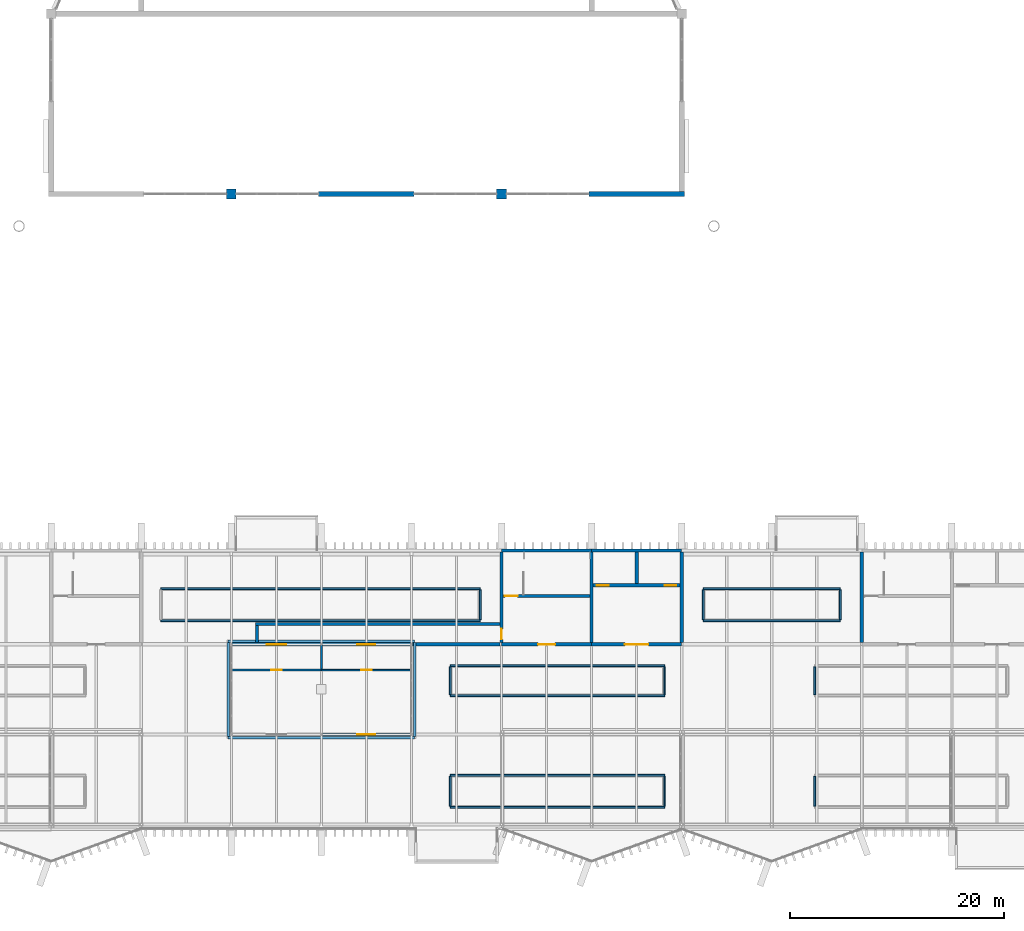
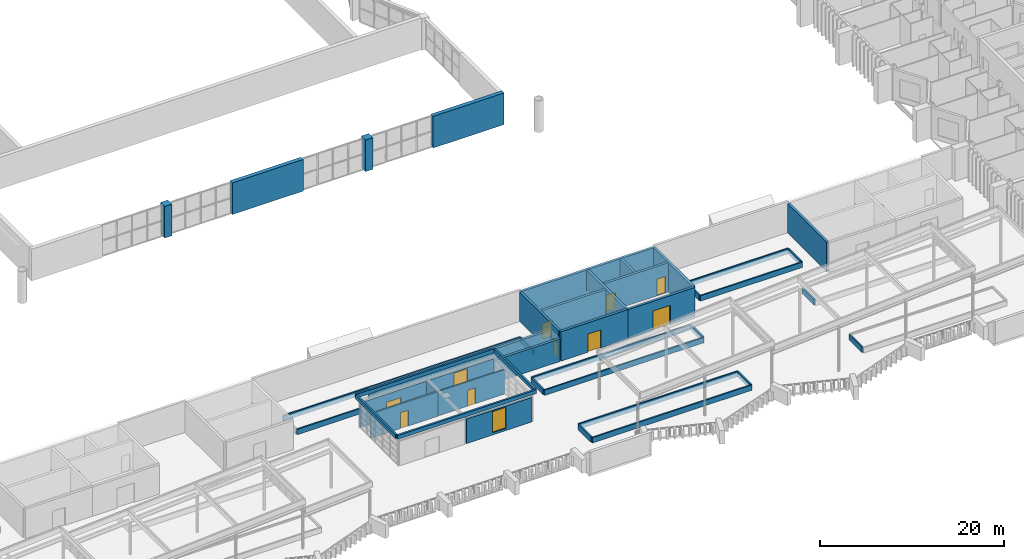
# One storey, part 35 of 51: 45 walls, 9 doors, 2 windows, 11 openings.
"""IFC4 building model written with IfcOpenShell, lengths in metres."""

from ifc_helpers import new_model, si_unit, direction, frame, frame_2d, origin, place, context, subcontext, project, spatial, rectangle, extrude, material, layer, layer_set, type_object, element, fill, save


model = new_model("IFC4")

# Units and contexts
model_context = context("Model", 3, precision=1e-05, world=origin(), true_north=direction((0.0, 1.0)))
body_context = subcontext(model_context, "Body", "Model", "MODEL_VIEW")
ifc_project = project(units=[si_unit("LENGTHUNIT", "METRE"), si_unit("AREAUNIT", "SQUARE_METRE"), si_unit("VOLUMEUNIT", "CUBIC_METRE"), si_unit("PLANEANGLEUNIT", "RADIAN"), si_unit("MASSUNIT", "GRAM", prefix="KILO")], contexts=[model_context])

# Site, building, storey
site_placement = place(None, origin())
site = spatial("IfcSite", under=ifc_project, at=site_placement, CompositionType="ELEMENT")
building_placement = place(site_placement, origin())
building = spatial("IfcBuilding", under=site, at=building_placement, Name="Cresset Court Congress Hotel", CompositionType="ELEMENT")
storey_placement = place(building_placement, frame((0.0, 0.0, 18.60009765625)))
storey = spatial("IfcBuildingStorey", under=building, at=storey_placement, Name="L04", CompositionType="ELEMENT", Elevation=18.60009765625)

# Walls
ifc_material_1 = material(Name="Concrete C50", Category="concrete")
ifc_layer_1 = layer(ifc_material_1, 0.300048828125)
ifc_layer_set_1 = layer_set([ifc_layer_1], Name="Core wall 300 Concrete C50")
wall_type_1 = type_object("IfcWallType", Name="Core wall 300 Concrete C50", PredefinedType="SHEAR", material=ifc_layer_set_1)
for number, where, z_axis, x_axis, name in (
    (1, (109.199951171875, 16.949951171875, 0.0), (0.0, 0.0, 1.0), (0.0, 1.0, 0.0), "Core wall LC-B2"),
    (2, (117.60009765625, 16.949951171875, 0.0), (0.0, 0.0, 1.0), (0.0, 1.0, 0.0), "Core wall LC-B2"),
):
    element("IfcWall", number, at=place(storey_placement, frame(where, z_axis=z_axis, x_axis=x_axis)), inside=storey, type_object=wall_type_1, Name=name, PredefinedType="SHEAR", context=body_context, shape_type="SweptSolid", body=[
        extrude(rectangle(XDim=8.449951171875, YDim=0.300048828125, at=frame_2d((4.22509765625, 0.0))), origin(), (0.0, 0.0, 1.0), 3.889892578125),
    ])

# Wall, opening, door
wall_1_placement = place(storey_placement, frame((109.199951171875, 16.800048828125, 0.0), z_axis=(0.0, 0.0, 1.0), x_axis=(1.0, 0.0, 0.0)))
wall_1 = element("IfcWall", 3, at=wall_1_placement, inside=storey, type_object=wall_type_1, Name="Core wall LC-B2", PredefinedType="SHEAR", context=body_context, shape_type="SweptSolid", body=[
    extrude(rectangle(XDim=8.400146484375, YDim=0.300048828125, at=frame_2d((4.2001953125, 0.0))), origin(), (0.0, 0.0, 1.0), 3.889892578125),
])
opening_1_placement = place(wall_1_placement, frame((3.10009765625, 0.0, 0.0)))
opening_1 = element("IfcOpeningElement", 4, at=opening_1_placement, cuts=wall_1, Name="Opening DB-04-05", PredefinedType="OPENING", context=body_context, shape_type="SweptSolid", body=[
    extrude(rectangle(XDim=2.199951171875, YDim=2.60009765625, at=frame_2d((1.10009765625, 1.300048828125))), frame((0.0, 0.159912109375, 0.0), z_axis=(0.0, -1.0, 0.0), x_axis=(1.0, 0.0, 0.0)), (0.0, 0.0, 1.0), 0.320068359375),
])
ifc_material_2 = material(Name="Aluminium frame with toughened glass", Category="aluminium")
door_type_1 = type_object("IfcDoorType", Name="Lift head glazed door 2200x2600", OperationType="DOUBLE_DOOR_SINGLE_SWING", PredefinedType="DOOR", material=ifc_material_2)
door_1_placement = place(opening_1_placement, origin())
door_1 = element("IfcDoor", 5, at=door_1_placement, inside=storey, type_object=door_type_1, Name="Roof door LC-B2", OperationType="DOUBLE_DOOR_SINGLE_SWING", OverallHeight=2.60009765625, OverallWidth=2.199951171875, PredefinedType="DOOR", context=body_context, shape_type="SweptSolid", body=[
    extrude(rectangle(XDim=2.199951171875, YDim=2.60009765625, at=frame_2d((1.10009765625, 1.300048828125))), frame((0.0, 0.02490234375, 0.0), z_axis=(0.0, -1.0, 0.0), x_axis=(1.0, 0.0, 0.0)), (0.0, 0.0, 1.0), 0.050048828125),
])
fill(opening_1, door_1)

# Wall, openings, doors
wall_2_placement = place(storey_placement, frame((109.35009765625, 22.300048828125, 0.0), z_axis=(0.0, 0.0, 1.0), x_axis=(1.0, 0.0, 0.0)))
wall_2 = element("IfcWall", 6, at=wall_2_placement, inside=storey, type_object=wall_type_1, Name="Core wall LC-B2", PredefinedType="SHEAR", context=body_context, shape_type="SweptSolid", body=[
    extrude(rectangle(XDim=8.099853515625, YDim=0.300048828125, at=frame_2d((4.0498046875, 0.0))), origin(), (0.0, 0.0, 1.0), 3.889892578125),
])
opening_2_placement = place(wall_2_placement, frame((0.35009765625, 0.0, 0.0)))
opening_2 = element("IfcOpeningElement", 7, at=opening_2_placement, cuts=wall_2, Name="Opening LD-B2-11", PredefinedType="OPENING", context=body_context, shape_type="SweptSolid", body=[
    extrude(rectangle(XDim=1.10009765625, YDim=2.199951171875, at=frame_2d((0.550048828125, 1.10009765625))), frame((0.0, 0.159912109375, 0.0), z_axis=(0.0, -1.0, 0.0), x_axis=(1.0, 0.0, 0.0)), (0.0, 0.0, 1.0), 0.320068359375),
])
opening_3_placement = place(wall_2_placement, frame((6.64990234375, 0.0, 0.0)))
opening_3 = element("IfcOpeningElement", 8, at=opening_3_placement, cuts=wall_2, Name="Opening LD-B2-12", PredefinedType="OPENING", context=body_context, shape_type="SweptSolid", body=[
    extrude(rectangle(XDim=1.10009765625, YDim=2.199951171875, at=frame_2d((0.550048828125, 1.10009765625))), frame((0.0, 0.159912109375, 0.0), z_axis=(0.0, -1.0, 0.0), x_axis=(1.0, 0.0, 0.0)), (0.0, 0.0, 1.0), 0.320068359375),
])
ifc_material_3 = material(Name="Stainless steel", Category="steel")
door_type_2 = type_object("IfcDoorType", Name="Lift landing door sliding 1100x2200", OperationType="SLIDING_TO_LEFT", PredefinedType="DOOR", material=ifc_material_3)
door_2_placement = place(opening_2_placement, origin())
door_2 = element("IfcDoor", 9, at=door_2_placement, inside=storey, type_object=door_type_2, Name="Lift landing door LD-B2-11", OperationType="SLIDING_TO_LEFT", OverallHeight=2.199951171875, OverallWidth=1.10009765625, PredefinedType="DOOR", context=body_context, shape_type="SweptSolid", body=[
    extrude(rectangle(XDim=1.10009765625, YDim=2.199951171875, at=frame_2d((0.550048828125, 1.10009765625))), frame((0.0, 0.02490234375, 0.0), z_axis=(0.0, -1.0, 0.0), x_axis=(1.0, 0.0, 0.0)), (0.0, 0.0, 1.0), 0.050048828125),
])
fill(opening_2, door_2)
door_3_placement = place(opening_3_placement, origin())
door_3 = element("IfcDoor", 10, at=door_3_placement, inside=storey, type_object=door_type_2, Name="Lift landing door LD-B2-12", OperationType="SLIDING_TO_LEFT", OverallHeight=2.199951171875, OverallWidth=1.10009765625, PredefinedType="DOOR", context=body_context, shape_type="SweptSolid", body=[
    extrude(rectangle(XDim=1.10009765625, YDim=2.199951171875, at=frame_2d((0.550048828125, 1.10009765625))), frame((0.0, 0.02490234375, 0.0), z_axis=(0.0, -1.0, 0.0), x_axis=(1.0, 0.0, 0.0)), (0.0, 0.0, 1.0), 0.050048828125),
])
fill(opening_3, door_3)

# Wall
wall_3_placement = place(storey_placement, frame((113.39990234375, 22.449951171875, 0.0), z_axis=(0.0, 0.0, 1.0), x_axis=(0.0, 1.0, 0.0)))
element("IfcWall", 11, at=wall_3_placement, inside=storey, type_object=wall_type_1, Name="Core wall LC-B2", PredefinedType="SHEAR", context=body_context, shape_type="SweptSolid", body=[
    extrude(rectangle(XDim=2.949951171875, YDim=0.300048828125, at=frame_2d((1.47509765625, 0.0))), origin(), (0.0, 0.0, 1.0), 3.889892578125),
])

# Wall, opening, door
wall_4_placement = place(storey_placement, frame((100.800048828125, 16.949951171875, 0.0), z_axis=(0.0, 0.0, 1.0), x_axis=(0.0, 1.0, 0.0)))
wall_4 = element("IfcWall", 12, at=wall_4_placement, inside=storey, type_object=wall_type_1, Name="Core wall ST-B4", PredefinedType="SHEAR", context=body_context, shape_type="SweptSolid", body=[
    extrude(rectangle(XDim=8.449951171875, YDim=0.300048828125, at=frame_2d((4.22509765625, 0.0))), origin(), (0.0, 0.0, 1.0), 3.889892578125),
])
opening_4_placement = place(wall_4_placement, frame((0.300048828125, 0.0, 0.0)))
opening_4 = element("IfcOpeningElement", 13, at=opening_4_placement, cuts=wall_4, Name="Opening DB-04-01", PredefinedType="OPENING", context=body_context, shape_type="SweptSolid", body=[
    extrude(rectangle(XDim=1.0, YDim=2.10009765625, at=frame_2d((0.5, 1.050048828125))), frame((0.0, 0.159912109375, 0.0), z_axis=(0.0, -1.0, 0.0), x_axis=(1.0, 0.0, 0.0)), (0.0, 0.0, 1.0), 0.320068359375),
])
ifc_material_4 = material(Name="Timber and steel frame", Category="steel")
door_type_3 = type_object("IfcDoorType", Name="Fire door FD30 single 1000x2100", OperationType="SINGLE_SWING_LEFT", PredefinedType="DOOR", material=ifc_material_4)
door_4_placement = place(opening_4_placement, origin())
door_4 = element("IfcDoor", 14, at=door_4_placement, inside=storey, type_object=door_type_3, Name="Garden corridor door", OperationType="SINGLE_SWING_LEFT", OverallHeight=2.10009765625, OverallWidth=1.0, PredefinedType="DOOR", context=body_context, shape_type="SweptSolid", body=[
    extrude(rectangle(XDim=1.0, YDim=2.10009765625, at=frame_2d((0.5, 1.050048828125))), frame((0.0, 0.02490234375, 0.0), z_axis=(0.0, -1.0, 0.0), x_axis=(1.0, 0.0, 0.0)), (0.0, 0.0, 1.0), 0.050048828125),
])
fill(opening_4, door_4)

wall_5_placement = place(storey_placement, frame((100.800048828125, 16.800048828125, 0.0), z_axis=(0.0, 0.0, 1.0), x_axis=(1.0, 0.0, 0.0)))
wall_5 = element("IfcWall", 15, at=wall_5_placement, inside=storey, type_object=wall_type_1, Name="Core wall ST-B4", PredefinedType="SHEAR", context=body_context, shape_type="SweptSolid", body=[
    extrude(rectangle(XDim=8.39990234375, YDim=0.300048828125, at=frame_2d((4.199951171875, 0.0))), origin(), (0.0, 0.0, 1.0), 3.889892578125),
])
opening_5_placement = place(wall_5_placement, frame((3.39990234375, 0.0, 0.0)))
opening_5 = element("IfcOpeningElement", 16, at=opening_5_placement, cuts=wall_5, Name="Opening DB-04-18", PredefinedType="OPENING", context=body_context, shape_type="SweptSolid", body=[
    extrude(rectangle(XDim=1.60009765625, YDim=2.39990234375, at=frame_2d((0.800048828125, 1.199951171875))), frame((0.0, 0.159912109375, 0.0), z_axis=(0.0, -1.0, 0.0), x_axis=(1.0, 0.0, 0.0)), (0.0, 0.0, 1.0), 0.320068359375),
])
ifc_material_5 = material(Name="Timber and steel frame", Category="steel")
door_type_4 = type_object("IfcDoorType", Name="Roof exit double door FD60 1600x2400", OperationType="DOUBLE_DOOR_SINGLE_SWING", PredefinedType="DOOR", material=ifc_material_5)
door_5_placement = place(opening_5_placement, origin())
door_5 = element("IfcDoor", 17, at=door_5_placement, inside=storey, type_object=door_type_4, Name="Roof door ST-B4", OperationType="DOUBLE_DOOR_SINGLE_SWING", OverallHeight=2.39990234375, OverallWidth=1.60009765625, PredefinedType="DOOR", context=body_context, shape_type="SweptSolid", body=[
    extrude(rectangle(XDim=1.60009765625, YDim=2.39990234375, at=frame_2d((0.800048828125, 1.199951171875))), frame((0.0, 0.02490234375, 0.0), z_axis=(0.0, -1.0, 0.0), x_axis=(1.0, 0.0, 0.0)), (0.0, 0.0, 1.0), 0.050048828125),
])
fill(opening_5, door_5)

wall_6_placement = place(storey_placement, frame((100.949951171875, 21.300048828125, 0.0), z_axis=(0.0, 0.0, 1.0), x_axis=(1.0, 0.0, 0.0)))
wall_6 = element("IfcWall", 18, at=wall_6_placement, inside=storey, type_object=wall_type_1, Name="Core wall ST-B4", PredefinedType="SHEAR", context=body_context, shape_type="SweptSolid", body=[
    extrude(rectangle(XDim=8.10009765625, YDim=0.300048828125, at=frame_2d((4.050048828125, 0.0))), origin(), (0.0, 0.0, 1.0), 3.889892578125),
])
opening_6_placement = place(wall_6_placement, frame((0.14990234375, 0.0, 0.0)))
opening_6 = element("IfcOpeningElement", 19, at=opening_6_placement, cuts=wall_6, Name="Opening DB-04-17", PredefinedType="OPENING", context=body_context, shape_type="SweptSolid", body=[
    extrude(rectangle(XDim=1.199951171875, YDim=2.10009765625, at=frame_2d((0.60009765625, 1.050048828125))), frame((0.0, 0.159912109375, 0.0), z_axis=(0.0, -1.0, 0.0), x_axis=(1.0, 0.0, 0.0)), (0.0, 0.0, 1.0), 0.320068359375),
])
ifc_material_6 = material(Name="Timber and steel frame", Category="steel")
door_type_5 = type_object("IfcDoorType", Name="Stair fire door FD60 1200x2100", OperationType="SINGLE_SWING_LEFT", PredefinedType="DOOR", material=ifc_material_6)
door_6_placement = place(opening_6_placement, origin())
door_6 = element("IfcDoor", 20, at=door_6_placement, inside=storey, type_object=door_type_5, Name="Stair door ST-B4", OperationType="SINGLE_SWING_LEFT", OverallHeight=2.10009765625, OverallWidth=1.199951171875, PredefinedType="DOOR", context=body_context, shape_type="SweptSolid", body=[
    extrude(rectangle(XDim=1.199951171875, YDim=2.10009765625, at=frame_2d((0.60009765625, 1.050048828125))), frame((0.0, 0.02490234375, 0.0), z_axis=(0.0, -1.0, 0.0), x_axis=(1.0, 0.0, 0.0)), (0.0, 0.0, 1.0), 0.050048828125),
])
fill(opening_6, door_6)

# Walls
wall_7_placement = place(storey_placement, frame((134.39990234375, 16.949951171875, 0.0), z_axis=(0.0, 0.0, 1.0), x_axis=(0.0, 1.0, 0.0)))
element("IfcWall", 21, at=wall_7_placement, inside=storey, type_object=wall_type_1, Name="Core wall ST-B5", PredefinedType="SHEAR", context=body_context, shape_type="SweptSolid", body=[
    extrude(rectangle(XDim=8.449951171875, YDim=0.300048828125, at=frame_2d((4.22509765625, 0.0))), origin(), (0.0, 0.0, 1.0), 3.889892578125),
])
ifc_material_7 = material(Name="Concrete C50", Category="concrete")
ifc_layer_2 = layer(ifc_material_7, 0.300048828125)
ifc_layer_set_2 = layer_set([ifc_layer_2], Name="Core wall 300 Concrete C50 external")
wall_type_2 = type_object("IfcWallType", Name="Core wall 300 Concrete C50 external", PredefinedType="SHEAR", material=ifc_layer_set_2)
wall_8_placement = place(storey_placement, frame((109.199951171875, 25.550048828125, 0.0), z_axis=(0.0, 0.0, 1.0), x_axis=(1.0, 0.0, 0.0)))
element("IfcWall", 22, at=wall_8_placement, inside=storey, type_object=wall_type_2, Name="Core wall LC-B2", PredefinedType="SHEAR", context=body_context, shape_type="SweptSolid", body=[
    extrude(rectangle(XDim=8.400146484375, YDim=0.300048828125, at=frame_2d((4.2001953125, 0.0))), origin(), (0.0, 0.0, 1.0), 3.889892578125),
])
wall_9_placement = place(storey_placement, frame((100.800048828125, 25.550048828125, 0.0), z_axis=(0.0, 0.0, 1.0), x_axis=(1.0, 0.0, 0.0)))
element("IfcWall", 23, at=wall_9_placement, inside=storey, type_object=wall_type_2, Name="Core wall ST-B4", PredefinedType="SHEAR", context=body_context, shape_type="SweptSolid", body=[
    extrude(rectangle(XDim=8.39990234375, YDim=0.300048828125, at=frame_2d((4.199951171875, 0.0))), origin(), (0.0, 0.0, 1.0), 3.889892578125),
])

# Wall, opening, door
ifc_material_8 = material(Name="Concrete C40", Category="concrete")
ifc_layer_3 = layer(ifc_material_8, 0.300048828125)
ifc_layer_set_3 = layer_set([ifc_layer_3], Name="External wall 300 Concrete C40")
wall_type_3 = type_object("IfcWallType", Name="External wall 300 Concrete C40", PredefinedType="SOLIDWALL", material=ifc_layer_set_3)
wall_10_placement = place(storey_placement, frame((75.68408203125, 16.800048828125, 0.0), z_axis=(0.0, 0.0, 1.0), x_axis=(1.0, 0.0, 0.0)))
wall_10 = element("IfcWall", 24, at=wall_10_placement, inside=storey, type_object=wall_type_3, Name="Pavilion wall", PredefinedType="SOLIDWALL", context=body_context, shape_type="SweptSolid", body=[
    extrude(rectangle(XDim=8.23193359375, YDim=0.300048828125, at=frame_2d((4.115966796875, 0.0))), origin(), (0.0, 0.0, 1.0), 3.25390625),
])
opening_7_placement = place(wall_10_placement, frame((3.216064453125, 0.0, 0.0)))
opening_7 = element("IfcOpeningElement", 25, at=opening_7_placement, cuts=wall_10, Name="Opening DB-04-24", PredefinedType="OPENING", context=body_context, shape_type="SweptSolid", body=[
    extrude(rectangle(XDim=1.800048828125, YDim=2.199951171875, at=frame_2d((0.89990234375, 1.10009765625))), frame((0.0, 0.159912109375, 0.0), z_axis=(0.0, -1.0, 0.0), x_axis=(1.0, 0.0, 0.0)), (0.0, 0.0, 1.0), 0.320068359375),
])
ifc_material_9 = material(Name="Aluminium frame with toughened glass", Category="aluminium")
door_type_6 = type_object("IfcDoorType", Name="Terrace door glazed double 1800x2200", OperationType="DOUBLE_DOOR_SINGLE_SWING", PredefinedType="DOOR", material=ifc_material_9)
door_7_placement = place(opening_7_placement, origin())
door_7 = element("IfcDoor", 26, at=door_7_placement, inside=storey, type_object=door_type_6, Name="Pavilion service door", OperationType="DOUBLE_DOOR_SINGLE_SWING", OverallHeight=2.199951171875, OverallWidth=1.800048828125, PredefinedType="DOOR", context=body_context, shape_type="SweptSolid", body=[
    extrude(rectangle(XDim=1.800048828125, YDim=2.199951171875, at=frame_2d((0.89990234375, 1.10009765625))), frame((0.0, 0.02490234375, 0.0), z_axis=(0.0, -1.0, 0.0), x_axis=(1.0, 0.0, 0.0)), (0.0, 0.0, 1.0), 0.050048828125),
])
fill(opening_7, door_7)

# Wall, opening, window
wall_11_placement = place(storey_placement, frame((84.083984375, 8.39990234375, 0.0), z_axis=(0.0, 0.0, 1.0), x_axis=(1.0, 0.0, 0.0)))
wall_11 = element("IfcWall", 27, at=wall_11_placement, inside=storey, type_object=wall_type_3, Name="Pavilion wall", PredefinedType="SOLIDWALL", context=body_context, shape_type="SweptSolid", body=[
    extrude(rectangle(XDim=8.23193359375, YDim=0.300048828125, at=frame_2d((4.115966796875, 0.0))), origin(), (0.0, 0.0, 1.0), 3.25390625),
])
opening_8_placement = place(wall_11_placement, frame((3.27587890625, 0.0, 0.300048828125)))
opening_8 = element("IfcOpeningElement", 28, at=opening_8_placement, cuts=wall_11, Name="Opening NB-04-01", PredefinedType="OPENING", context=body_context, shape_type="SweptSolid", body=[
    extrude(rectangle(XDim=1.679931640625, YDim=2.800048828125, at=frame_2d((0.83984375, 1.39990234375))), frame((0.0, 0.159912109375, 0.0), z_axis=(0.0, -1.0, 0.0), x_axis=(1.0, 0.0, 0.0)), (0.0, 0.0, 1.0), 0.320068359375),
])
ifc_material_10 = material(Name="Aluminium frame with double glazing", Category="aluminium")
window_type = type_object("IfcWindowType", Name="Pavilion window 1680x2800", PartitioningType="DOUBLE_PANEL_VERTICAL", PredefinedType="WINDOW", material=ifc_material_10)
window_1_placement = place(opening_8_placement, origin())
window_1 = element("IfcWindow", 29, at=window_1_placement, inside=storey, type_object=window_type, Name="Pavilion window", OverallHeight=2.800048828125, OverallWidth=1.679931640625, PartitioningType="DOUBLE_PANEL_VERTICAL", PredefinedType="WINDOW", context=body_context, shape_type="SweptSolid", body=[
    extrude(rectangle(XDim=1.679931640625, YDim=2.800048828125, at=frame_2d((0.83984375, 1.39990234375))), frame((0.0, 0.030029296875, 0.0), z_axis=(0.0, -1.0, 0.0), x_axis=(1.0, 0.0, 0.0)), (0.0, 0.0, 1.0), 0.06005859375),
])
fill(opening_8, window_1)

wall_12_placement = place(storey_placement, frame((84.083984375, 16.800048828125, 0.0), z_axis=(0.0, 0.0, 1.0), x_axis=(1.0, 0.0, 0.0)))
wall_12 = element("IfcWall", 30, at=wall_12_placement, inside=storey, type_object=wall_type_3, Name="Pavilion wall", PredefinedType="SOLIDWALL", context=body_context, shape_type="SweptSolid", body=[
    extrude(rectangle(XDim=8.23193359375, YDim=0.300048828125, at=frame_2d((4.115966796875, 0.0))), origin(), (0.0, 0.0, 1.0), 3.25390625),
])
opening_9_placement = place(wall_12_placement, frame((3.27587890625, 0.0, 0.300048828125)))
opening_9 = element("IfcOpeningElement", 31, at=opening_9_placement, cuts=wall_12, Name="Opening NB-04-02", PredefinedType="OPENING", context=body_context, shape_type="SweptSolid", body=[
    extrude(rectangle(XDim=1.679931640625, YDim=2.800048828125, at=frame_2d((0.83984375, 1.39990234375))), frame((0.0, 0.159912109375, 0.0), z_axis=(0.0, -1.0, 0.0), x_axis=(1.0, 0.0, 0.0)), (0.0, 0.0, 1.0), 0.320068359375),
])
window_2_placement = place(opening_9_placement, origin())
window_2 = element("IfcWindow", 32, at=window_2_placement, inside=storey, type_object=window_type, Name="Pavilion window", OverallHeight=2.800048828125, OverallWidth=1.679931640625, PartitioningType="DOUBLE_PANEL_VERTICAL", PredefinedType="WINDOW", context=body_context, shape_type="SweptSolid", body=[
    extrude(rectangle(XDim=1.679931640625, YDim=2.800048828125, at=frame_2d((0.83984375, 1.39990234375))), frame((0.0, 0.030029296875, 0.0), z_axis=(0.0, -1.0, 0.0), x_axis=(1.0, 0.0, 0.0)), (0.0, 0.0, 1.0), 0.06005859375),
])
fill(opening_9, window_2)

# Walls
ifc_material_11 = material(Name="Concrete C40", Category="concrete")
ifc_layer_4 = layer(ifc_material_11, 0.300048828125)
ifc_layer_set_4 = layer_set([ifc_layer_4], Name="External wall 300 Concrete C40 load-bearing")
wall_type_4 = type_object("IfcWallType", Name="External wall 300 Concrete C40 load-bearing", PredefinedType="SOLIDWALL", material=ifc_layer_set_4)
wall_13_placement = place(storey_placement, frame((92.48388671875, 16.800048828125, 0.0), z_axis=(0.0, 0.0, 1.0), x_axis=(1.0, 0.0, 0.0)))
element("IfcWall", 33, at=wall_13_placement, inside=storey, type_object=wall_type_4, Name="Garden corridor wall", PredefinedType="SOLIDWALL", context=body_context, shape_type="SweptSolid", body=[
    extrude(rectangle(XDim=8.166015625, YDim=0.300048828125, at=frame_2d((4.0830078125, 0.0))), origin(), (0.0, 0.0, 1.0), 3.0),
])
wall_14_placement = place(storey_placement, frame((77.85009765625, 18.699951171875, 0.0), z_axis=(0.0, 0.0, 1.0), x_axis=(1.0, 0.0, 0.0)))
element("IfcWall", 34, at=wall_14_placement, inside=storey, type_object=wall_type_4, Name="Garden corridor wall", PredefinedType="SOLIDWALL", context=body_context, shape_type="SweptSolid", body=[
    extrude(rectangle(XDim=22.7998046875, YDim=0.300048828125, at=frame_2d((11.39990234375, 0.0))), origin(), (0.0, 0.0, 1.0), 3.0),
])
wall_15_placement = place(storey_placement, frame((78.0, 16.949951171875, 0.0), z_axis=(0.0, 0.0, 1.0), x_axis=(0.0, 1.0, 0.0)))
element("IfcWall", 35, at=wall_15_placement, inside=storey, type_object=wall_type_4, Name="Garden corridor end wall", PredefinedType="SOLIDWALL", context=body_context, shape_type="SweptSolid", body=[
    extrude(rectangle(XDim=1.60009765625, YDim=0.300048828125, at=frame_2d((0.800048828125, 0.0))), origin(), (0.0, 0.0, 1.0), 3.0),
])
ifc_material_12 = material(Name="Limestone-faced precast concrete C50", Category="masonry")
ifc_layer_5 = layer(ifc_material_12, 0.5)
ifc_layer_set_5 = layer_set([ifc_layer_5], Name="Hall perimeter wall 500")
wall_type_5 = type_object("IfcWallType", Name="Hall perimeter wall 500", PredefinedType="SOLIDWALL", material=ifc_layer_set_5)
wall_16_placement = place(storey_placement, frame((92.64990234375, 58.800048828125, 0.0), z_axis=(0.0, 0.0, 1.0), x_axis=(-1.0, 0.0, 0.0)))
element("IfcWall", 36, at=wall_16_placement, inside=storey, type_object=wall_type_5, Name="Wall CW-SL04-2", PredefinedType="SOLIDWALL", context=body_context, shape_type="SweptSolid", body=[
    extrude(rectangle(XDim=8.89990234375, YDim=0.5, at=frame_2d((4.449951171875, 0.0))), origin(), (0.0, 0.0, 1.0), 4.199951171875),
])
wall_17_placement = place(storey_placement, frame((117.85009765625, 58.800048828125, 0.0), z_axis=(0.0, 0.0, 1.0), x_axis=(-1.0, 0.0, 0.0)))
element("IfcWall", 37, at=wall_17_placement, inside=storey, type_object=wall_type_5, Name="Wall CW-SL04-3", PredefinedType="SOLIDWALL", context=body_context, shape_type="SweptSolid", body=[
    extrude(rectangle(XDim=8.900146484375, YDim=0.5, at=frame_2d((4.4501953125, 0.0))), origin(), (0.0, 0.0, 1.0), 4.199951171875),
])
ifc_material_13 = material(Name="Concrete C50", Category="concrete")
ifc_layer_6 = layer(ifc_material_13, 0.89990234375)
ifc_layer_set_6 = layer_set([ifc_layer_6], Name="Hall pilaster 900x900")
wall_type_6 = type_object("IfcWallType", Name="Hall pilaster 900x900", PredefinedType="SOLIDWALL", material=ifc_layer_set_6)
wall_18_placement = place(storey_placement, frame((75.14990234375, 58.800048828125, 0.0), z_axis=(0.0, 0.0, 1.0), x_axis=(1.0, 0.0, 0.0)))
element("IfcWall", 38, at=wall_18_placement, inside=storey, type_object=wall_type_6, Name="Pilaster P-S1", PredefinedType="SOLIDWALL", context=body_context, shape_type="SweptSolid", body=[
    extrude(rectangle(XDim=0.900146484375, YDim=0.89990234375, at=frame_2d((0.4501953125, 0.0))), origin(), (0.0, 0.0, 1.0), 4.199951171875),
])
wall_19_placement = place(storey_placement, frame((100.35009765625, 58.800048828125, 0.0), z_axis=(0.0, 0.0, 1.0), x_axis=(1.0, 0.0, 0.0)))
element("IfcWall", 39, at=wall_19_placement, inside=storey, type_object=wall_type_6, Name="Pilaster P-S2", PredefinedType="SOLIDWALL", context=body_context, shape_type="SweptSolid", body=[
    extrude(rectangle(XDim=0.89990234375, YDim=0.89990234375, at=frame_2d((0.449951171875, 0.0))), origin(), (0.0, 0.0, 1.0), 4.199951171875),
])

# Wall, opening, door
ifc_material_14 = material(Name="Blockwork with tiled face", Category="masonry")
ifc_layer_7 = layer(ifc_material_14, 0.199951171875)
ifc_layer_set_7 = layer_set([ifc_layer_7], Name="Kitchen wall 200")
wall_type_7 = type_object("IfcWallType", Name="Kitchen wall 200", PredefinedType="PARTITIONING", material=ifc_layer_set_7)
wall_20_placement = place(storey_placement, frame((75.60009765625, 14.39990234375, 0.0), z_axis=(0.0, 0.0, 1.0), x_axis=(1.0, 0.0, 0.0)))
wall_20 = element("IfcWall", 40, at=wall_20_placement, inside=storey, type_object=wall_type_7, Name="Kitchen wall", PredefinedType="PARTITIONING", context=body_context, shape_type="SweptSolid", body=[
    extrude(rectangle(XDim=8.39990234375, YDim=0.199951171875, at=frame_2d((4.199951171875, 0.0))), origin(), (0.0, 0.0, 1.0), 3.25390625),
])
opening_10_placement = place(wall_20_placement, frame((3.699951171875, 0.0, 0.0)))
opening_10 = element("IfcOpeningElement", 41, at=opening_10_placement, cuts=wall_20, Name="Opening DB-04-21", PredefinedType="OPENING", context=body_context, shape_type="SweptSolid", body=[
    extrude(rectangle(XDim=1.0, YDim=2.10009765625, at=frame_2d((0.5, 1.050048828125))), frame((0.0, 0.10986328125, 0.0), z_axis=(0.0, -1.0, 0.0), x_axis=(1.0, 0.0, 0.0)), (0.0, 0.0, 1.0), 0.219970703125),
])
ifc_material_15 = material(Name="Timber and steel frame", Category="steel")
door_type_7 = type_object("IfcDoorType", Name="Single door 1000x2100", OperationType="SINGLE_SWING_LEFT", PredefinedType="DOOR", material=ifc_material_15)
door_8_placement = place(opening_10_placement, origin())
door_8 = element("IfcDoor", 42, at=door_8_placement, inside=storey, type_object=door_type_7, Name="Pantry door", OperationType="SINGLE_SWING_LEFT", OverallHeight=2.10009765625, OverallWidth=1.0, PredefinedType="DOOR", context=body_context, shape_type="SweptSolid", body=[
    extrude(rectangle(XDim=1.0, YDim=2.10009765625, at=frame_2d((0.5, 1.050048828125))), frame((0.0, 0.02490234375, 0.0), z_axis=(0.0, -1.0, 0.0), x_axis=(1.0, 0.0, 0.0)), (0.0, 0.0, 1.0), 0.050048828125),
])
fill(opening_10, door_8)

# Wall
wall_21_placement = place(storey_placement, frame((84.0, 14.5, 0.0), z_axis=(0.0, 0.0, 1.0), x_axis=(0.0, 1.0, 0.0)))
element("IfcWall", 43, at=wall_21_placement, inside=storey, type_object=wall_type_7, Name="Kitchen wall", PredefinedType="PARTITIONING", context=body_context, shape_type="SweptSolid", body=[
    extrude(rectangle(XDim=2.216064453125, YDim=0.199951171875, at=frame_2d((1.10791015625, 0.0))), origin(), (0.0, 0.0, 1.0), 3.25390625),
])

# Wall, opening, door
ifc_material_16 = material(Name="Gypsum board on steel studs", Category="steel")
ifc_layer_8 = layer(ifc_material_16, 0.14990234375)
ifc_layer_set_8 = layer_set([ifc_layer_8], Name="Partition 150")
wall_type_8 = type_object("IfcWallType", Name="Partition 150", PredefinedType="PARTITIONING", material=ifc_layer_set_8)
wall_22_placement = place(storey_placement, frame((84.0, 14.39990234375, 0.0), z_axis=(0.0, 0.0, 1.0), x_axis=(1.0, 0.0, 0.0)))
wall_22 = element("IfcWall", 44, at=wall_22_placement, inside=storey, type_object=wall_type_8, Name="Partition", PredefinedType="PARTITIONING", context=body_context, shape_type="SweptSolid", body=[
    extrude(rectangle(XDim=8.39990234375, YDim=0.14990234375, at=frame_2d((4.199951171875, 0.0))), origin(), (0.0, 0.0, 1.0), 3.25390625),
])
opening_11_placement = place(wall_22_placement, frame((3.699951171875, 0.0, 0.0)))
opening_11 = element("IfcOpeningElement", 45, at=opening_11_placement, cuts=wall_22, Name="Opening DB-04-22", PredefinedType="OPENING", context=body_context, shape_type="SweptSolid", body=[
    extrude(rectangle(XDim=1.0, YDim=2.10009765625, at=frame_2d((0.5, 1.050048828125))), frame((0.0, 0.0849609375, 0.0), z_axis=(0.0, -1.0, 0.0), x_axis=(1.0, 0.0, 0.0)), (0.0, 0.0, 1.0), 0.169921875),
])
door_9_placement = place(opening_11_placement, origin())
door_9 = element("IfcDoor", 46, at=door_9_placement, inside=storey, type_object=door_type_7, Name="Roof garden toilet door", OperationType="SINGLE_SWING_LEFT", OverallHeight=2.10009765625, OverallWidth=1.0, PredefinedType="DOOR", context=body_context, shape_type="SweptSolid", body=[
    extrude(rectangle(XDim=1.0, YDim=2.10009765625, at=frame_2d((0.5, 1.050048828125))), frame((0.0, 0.02490234375, 0.0), z_axis=(0.0, -1.0, 0.0), x_axis=(1.0, 0.0, 0.0)), (0.0, 0.0, 1.0), 0.050048828125),
])
fill(opening_11, door_9)

# Walls
ifc_material_17 = material(Name="Concrete C40", Category="concrete")
ifc_layer_9 = layer(ifc_material_17, 0.239990234375)
ifc_layer_set_9 = layer_set([ifc_layer_9], Name="Pavilion parapet 240 Concrete C40")
wall_type_9 = type_object("IfcWallType", Name="Pavilion parapet 240 Concrete C40", PredefinedType="SOLIDWALL", material=ifc_layer_set_9)
for number, where, z_axis, x_axis, name in (
    (47, (75.300048828125, 8.10009765625, 3.7998046875), (0.0, 0.0, 1.0), (1.0, 0.0, 0.0), "Pavilion parapet"),
    (48, (75.300048828125, 17.10009765625, 3.7998046875), (0.0, 0.0, 1.0), (1.0, 0.0, 0.0), "Pavilion parapet"),
):
    element("IfcWall", number, at=place(storey_placement, frame(where, z_axis=z_axis, x_axis=x_axis)), inside=storey, type_object=wall_type_9, Name=name, PredefinedType="SOLIDWALL", context=body_context, shape_type="SweptSolid", body=[
        extrude(rectangle(XDim=17.39990234375, YDim=0.239990234375, at=frame_2d((8.699951171875, 0.0))), origin(), (0.0, 0.0, 1.0), 0.5),
    ])
for number, where, z_axis, x_axis, name in (
    (49, (75.300048828125, 8.219970703125, 3.7998046875), (0.0, 0.0, 1.0), (0.0, 1.0, 0.0), "Pavilion parapet"),
    (50, (92.699951171875, 8.219970703125, 3.7998046875), (0.0, 0.0, 1.0), (0.0, 1.0, 0.0), "Pavilion parapet"),
):
    element("IfcWall", number, at=place(storey_placement, frame(where, z_axis=z_axis, x_axis=x_axis)), inside=storey, type_object=wall_type_9, Name=name, PredefinedType="SOLIDWALL", context=body_context, shape_type="SweptSolid", body=[
        extrude(rectangle(XDim=8.760009765625, YDim=0.239990234375, at=frame_2d((4.3798828125, 0.0))), origin(), (0.0, 0.0, 1.0), 0.5),
    ])
ifc_material_18 = material(Name="Concrete C35", Category="concrete")
ifc_layer_10 = layer(ifc_material_18, 0.179931640625)
ifc_layer_set_10 = layer_set([ifc_layer_10], Name="Planter wall 180 Concrete C35")
wall_type_10 = type_object("IfcWallType", Name="Planter wall 180 Concrete C35", PredefinedType="SOLIDWALL", material=ifc_layer_set_10)
for number, where, z_axis, x_axis, name in (
    (51, (96.0, 1.60009765625, 0.0), (0.0, 0.0, 1.0), (1.0, 0.0, 0.0), "Planter wall"),
    (52, (96.0, 4.60009765625, 0.0), (0.0, 0.0, 1.0), (1.0, 0.0, 0.0), "Planter wall"),
):
    element("IfcWall", number, at=place(storey_placement, frame(where, z_axis=z_axis, x_axis=x_axis)), inside=storey, type_object=wall_type_10, Name=name, PredefinedType="SOLIDWALL", context=body_context, shape_type="SweptSolid", body=[
        extrude(rectangle(XDim=20.0, YDim=0.179931640625, at=frame_2d((10.0, 0.0))), origin(), (0.0, 0.0, 1.0), 0.699951171875),
    ])
for number, where, z_axis, x_axis, name in (
    (53, (96.0, 1.68994140625, 0.0), (0.0, 0.0, 1.0), (0.0, 1.0, 0.0), "Planter wall"),
    (54, (116.0, 1.68994140625, 0.0), (0.0, 0.0, 1.0), (0.0, 1.0, 0.0), "Planter wall"),
    (55, (130.0, 1.68994140625, 0.0), (0.0, 0.0, 1.0), (0.0, 1.0, 0.0), "Planter wall"),
):
    element("IfcWall", number, at=place(storey_placement, frame(where, z_axis=z_axis, x_axis=x_axis)), inside=storey, type_object=wall_type_10, Name=name, PredefinedType="SOLIDWALL", context=body_context, shape_type="SweptSolid", body=[
        extrude(rectangle(XDim=2.820068359375, YDim=0.179931640625, at=frame_2d((1.41015625, 0.0))), origin(), (0.0, 0.0, 1.0), 0.699951171875),
    ])
for number, where, z_axis, x_axis, name in (
    (56, (96.0, 12.0, 0.0), (0.0, 0.0, 1.0), (1.0, 0.0, 0.0), "Planter wall"),
    (57, (96.0, 14.800048828125, 0.0), (0.0, 0.0, 1.0), (1.0, 0.0, 0.0), "Planter wall"),
):
    element("IfcWall", number, at=place(storey_placement, frame(where, z_axis=z_axis, x_axis=x_axis)), inside=storey, type_object=wall_type_10, Name=name, PredefinedType="SOLIDWALL", context=body_context, shape_type="SweptSolid", body=[
        extrude(rectangle(XDim=20.0, YDim=0.179931640625, at=frame_2d((10.0, 0.0))), origin(), (0.0, 0.0, 1.0), 0.699951171875),
    ])
for number, where, z_axis, x_axis, name in (
    (58, (96.0, 12.090087890625, 0.0), (0.0, 0.0, 1.0), (0.0, 1.0, 0.0), "Planter wall"),
    (59, (116.0, 12.090087890625, 0.0), (0.0, 0.0, 1.0), (0.0, 1.0, 0.0), "Planter wall"),
    (60, (130.0, 12.090087890625, 0.0), (0.0, 0.0, 1.0), (0.0, 1.0, 0.0), "Planter wall"),
):
    element("IfcWall", number, at=place(storey_placement, frame(where, z_axis=z_axis, x_axis=x_axis)), inside=storey, type_object=wall_type_10, Name=name, PredefinedType="SOLIDWALL", context=body_context, shape_type="SweptSolid", body=[
        extrude(rectangle(XDim=2.619873046875, YDim=0.179931640625, at=frame_2d((1.31005859375, 0.0))), origin(), (0.0, 0.0, 1.0), 0.699951171875),
    ])
for number, where, z_axis, x_axis, name in (
    (61, (69.0, 19.0, 0.0), (0.0, 0.0, 1.0), (1.0, 0.0, 0.0), "Planter wall"),
    (62, (69.0, 22.0, 0.0), (0.0, 0.0, 1.0), (1.0, 0.0, 0.0), "Planter wall"),
):
    element("IfcWall", number, at=place(storey_placement, frame(where, z_axis=z_axis, x_axis=x_axis)), inside=storey, type_object=wall_type_10, Name=name, PredefinedType="SOLIDWALL", context=body_context, shape_type="SweptSolid", body=[
        extrude(rectangle(XDim=29.800048828125, YDim=0.179931640625, at=frame_2d((14.89990234375, 0.0))), origin(), (0.0, 0.0, 1.0), 0.699951171875),
    ])
wall_23_placement = place(storey_placement, frame((98.800048828125, 19.090087890625, 0.0), z_axis=(0.0, 0.0, 1.0), x_axis=(0.0, 1.0, 0.0)))
element("IfcWall", 63, at=wall_23_placement, inside=storey, type_object=wall_type_10, Name="Planter wall", PredefinedType="SOLIDWALL", context=body_context, shape_type="SweptSolid", body=[
    extrude(rectangle(XDim=2.81982421875, YDim=0.179931640625, at=frame_2d((1.409912109375, 0.0))), origin(), (0.0, 0.0, 1.0), 0.699951171875),
])
for number, where, z_axis, x_axis, name in (
    (64, (119.60009765625, 19.0, 0.0), (0.0, 0.0, 1.0), (1.0, 0.0, 0.0), "Planter wall"),
    (65, (119.60009765625, 22.0, 0.0), (0.0, 0.0, 1.0), (1.0, 0.0, 0.0), "Planter wall"),
):
    element("IfcWall", number, at=place(storey_placement, frame(where, z_axis=z_axis, x_axis=x_axis)), inside=storey, type_object=wall_type_10, Name=name, PredefinedType="SOLIDWALL", context=body_context, shape_type="SweptSolid", body=[
        extrude(rectangle(XDim=12.7998046875, YDim=0.179931640625, at=frame_2d((6.39990234375, 0.0))), origin(), (0.0, 0.0, 1.0), 0.699951171875),
    ])
for number, where, z_axis, x_axis, name in (
    (66, (119.60009765625, 19.090087890625, 0.0), (0.0, 0.0, 1.0), (0.0, 1.0, 0.0), "Planter wall"),
    (67, (132.39990234375, 19.090087890625, 0.0), (0.0, 0.0, 1.0), (0.0, 1.0, 0.0), "Planter wall"),
):
    element("IfcWall", number, at=place(storey_placement, frame(where, z_axis=z_axis, x_axis=x_axis)), inside=storey, type_object=wall_type_10, Name=name, PredefinedType="SOLIDWALL", context=body_context, shape_type="SweptSolid", body=[
        extrude(rectangle(XDim=2.81982421875, YDim=0.179931640625, at=frame_2d((1.409912109375, 0.0))), origin(), (0.0, 0.0, 1.0), 0.699951171875),
    ])

save(model, "model.ifc")
